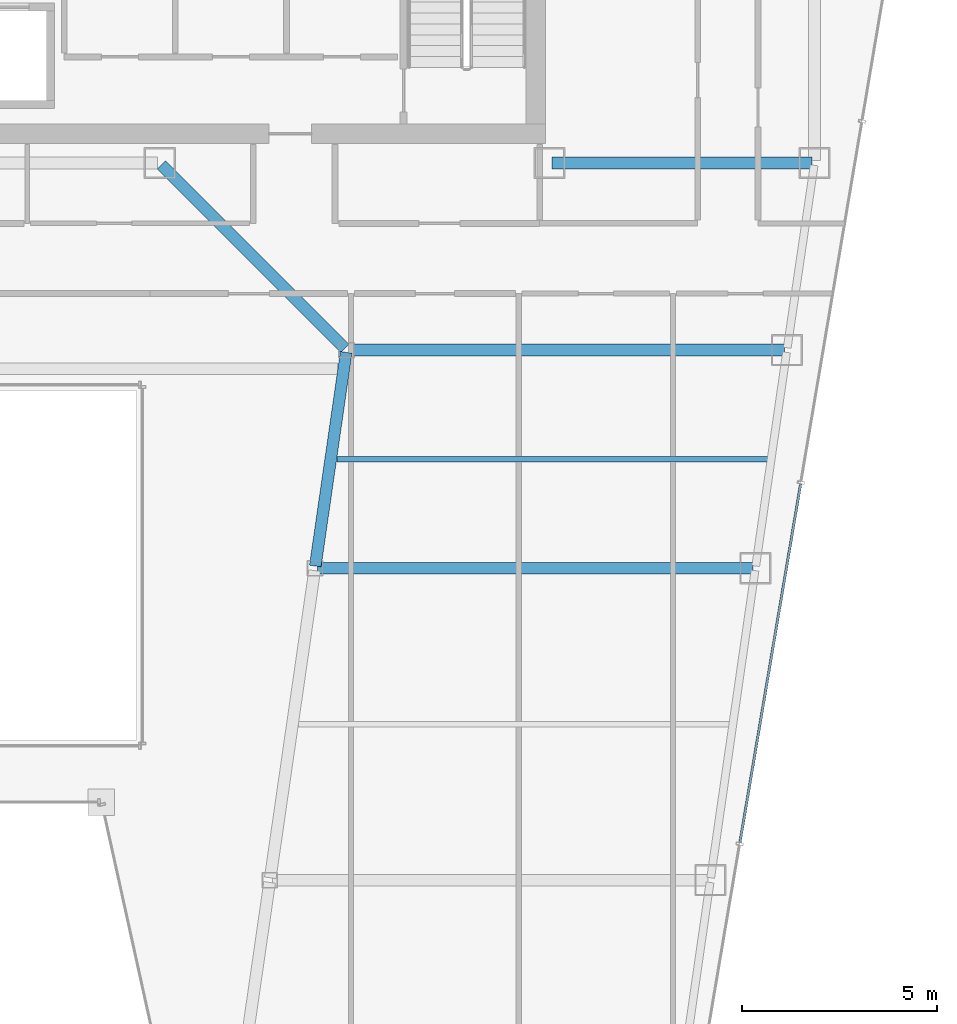
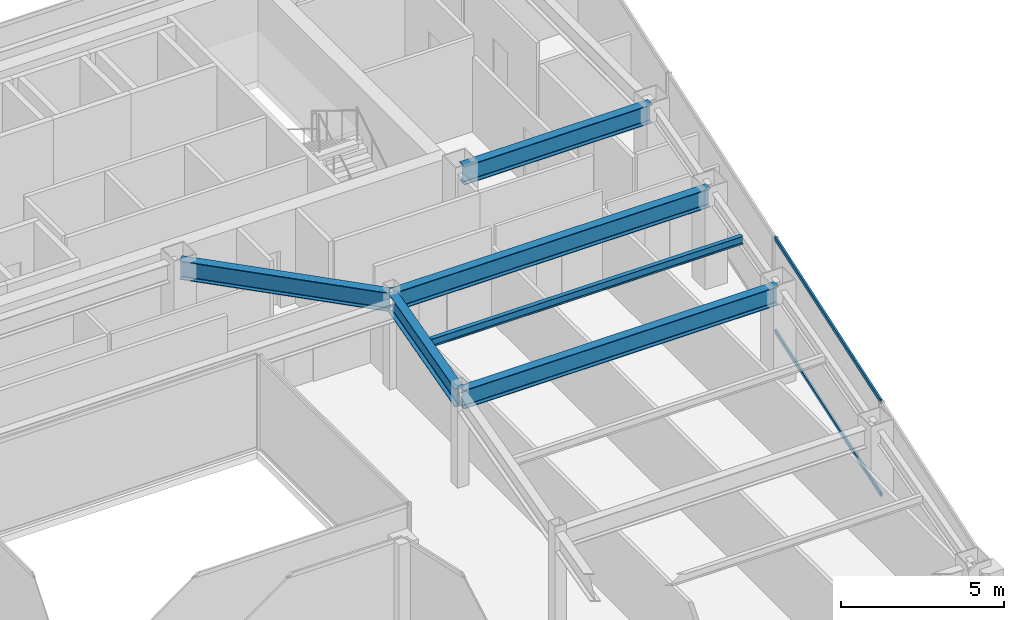
# One storey, part 21 of 36: 6 beams, 2 members, 1 element without a shape of its own.
"""IFC4 building model written with IfcOpenShell, lengths in metres."""

from ifc_helpers import new_model, si_unit, direction, frame, origin, origin_2d, place, context, subcontext, project, spatial, hollow_rectangle, i_section, extrude, material, material_profile, profile_set, type_object, element, aggregate, save


model = new_model("IFC4")

# Units and contexts
model_context = context("Model", 3, precision=1e-05, world=origin(), true_north=direction((0.0, 1.0)))
body_context = subcontext(model_context, "Body", "Model", "MODEL_VIEW")
ifc_project = project(units=[si_unit("LENGTHUNIT", "METRE"), si_unit("AREAUNIT", "SQUARE_METRE"), si_unit("VOLUMEUNIT", "CUBIC_METRE"), si_unit("PLANEANGLEUNIT", "RADIAN"), si_unit("MASSUNIT", "GRAM", prefix="KILO")], contexts=[model_context])

# Site, building, storey
site_placement = place(None, origin())
site = spatial("IfcSite", under=ifc_project, at=site_placement, CompositionType="ELEMENT")
building_placement = place(site_placement, origin())
building = spatial("IfcBuilding", under=site, at=building_placement, Name="Saevonmaru Cultural Tower", CompositionType="ELEMENT")
storey_placement = place(building_placement, frame((0.0, 0.0, 201.800048828125)))
storey = spatial("IfcBuildingStorey", under=building, at=storey_placement, Name="L46", CompositionType="ELEMENT", Elevation=201.800048828125)

# Beams
ifc_material_1 = material(Name="Steel SM355", Category="steel")
ifc_material_profile_1 = material_profile(ifc_material_1, i_section(OverallWidth=0.300048828125, OverallDepth=0.699951171875, WebThickness=0.012939453125, FlangeThickness=0.02392578125, FilletRadius=0.02587890625, at=origin_2d()), Name="H-700x300x13x24")
ifc_profile_set_1 = profile_set([ifc_material_profile_1], Name="Steel SM355")
beam_type_1 = type_object("IfcBeamType", Name="BM-G-H700", PredefinedType="BEAM", material=ifc_profile_set_1)
beam_1_placement = place(storey_placement, frame((46.4599609375, 42.39990234375, 3.199951171875), z_axis=(1.0, 0.0, 0.0), x_axis=(0.0, 1.0, 0.0)))
element("IfcBeam", 1, at=beam_1_placement, inside=storey, type_object=beam_type_1, Name="L46 Core South Girder 5", PredefinedType="BEAM", context=body_context, shape_type="SweptSolid", body=[
    extrude(i_section(OverallWidth=0.300048828125, OverallDepth=0.699951171875, WebThickness=0.012939453125, FlangeThickness=0.02392578125, FilletRadius=0.02587890625, at=origin_2d()), origin(), (0.0, 0.0, 1.0), 6.679931640625),
])
beam_2_placement = place(storey_placement, frame((40.3916015625, 32.059326171875, 3.199951171875), z_axis=(0.142964121327, 0.989727871697, 0.0), x_axis=(-0.989727871697, 0.142964121327, 0.0)))
element("IfcBeam", 2, at=beam_2_placement, inside=storey, type_object=beam_type_1, Name="L46 East Atrium Girder 3", PredefinedType="BEAM", context=body_context, shape_type="SweptSolid", body=[
    extrude(i_section(OverallWidth=0.300048828125, OverallDepth=0.699951171875, WebThickness=0.012939453125, FlangeThickness=0.02392578125, FilletRadius=0.02587890625, at=origin_2d()), origin(), (0.0, 0.0, 1.0), 5.5380859375),
])
beam_3_placement = place(storey_placement, frame((41.149658203125, 37.642578125, 3.199951171875), z_axis=(-0.706538566564, 0.707674539572, 0.0), x_axis=(-0.707674539572, -0.706538566564, 0.0)))
element("IfcBeam", 3, at=beam_3_placement, inside=storey, type_object=beam_type_1, Name="L46 East Atrium Girder 4", PredefinedType="BEAM", context=body_context, shape_type="SweptSolid", body=[
    extrude(i_section(OverallWidth=0.300048828125, OverallDepth=0.699951171875, WebThickness=0.012939453125, FlangeThickness=0.02392578125, FilletRadius=0.02587890625, at=origin_2d()), origin(), (0.0, 0.0, 1.0), 6.662353515625),
])
for number, where, z_axis, x_axis, name in (
    (4, (40.443115234375, 32.0, 3.199951171875), (1.0, 0.0, 0.0), (0.0, 1.0, 0.0), "L46 East Wing Transverse Girder 3"),
    (5, (41.251953125, 37.60009765625, 3.199951171875), (1.0, 0.0, 0.0), (0.0, 1.0, 0.0), "L46 East Wing Transverse Girder 4"),
):
    element("IfcBeam", number, at=place(storey_placement, frame(where, z_axis=z_axis, x_axis=x_axis)), inside=storey, type_object=beam_type_1, Name=name, PredefinedType="BEAM", context=body_context, shape_type="SweptSolid", body=[
        extrude(i_section(OverallWidth=0.300048828125, OverallDepth=0.699951171875, WebThickness=0.012939453125, FlangeThickness=0.02392578125, FilletRadius=0.02587890625, at=origin_2d()), origin(), (0.0, 0.0, 1.0), 11.179931640625),
    ])
ifc_material_profile_2 = material_profile(ifc_material_1, i_section(OverallWidth=0.14990234375, OverallDepth=0.300048828125, WebThickness=0.006591796875, FlangeThickness=0.009033203125, FilletRadius=0.012939453125, at=origin_2d()), Name="H-300x150x6.5x9")
ifc_profile_set_2 = profile_set([ifc_material_profile_2], Name="Steel SM355")
beam_type_2 = type_object("IfcBeamType", Name="BM-J-H300", PredefinedType="JOIST", material=ifc_profile_set_2)
beam_4_placement = place(storey_placement, frame((40.945556640625, 34.800048828125, 3.39990234375), z_axis=(1.0, 0.0, 0.0), x_axis=(0.0, 1.0, 0.0)))
element("IfcBeam", 6, at=beam_4_placement, inside=storey, type_object=beam_type_2, Name="L46 East Wing Floor Joist 3", PredefinedType="JOIST", context=body_context, shape_type="SweptSolid", body=[
    extrude(i_section(OverallWidth=0.14990234375, OverallDepth=0.300048828125, WebThickness=0.006591796875, FlangeThickness=0.009033203125, FilletRadius=0.012939453125, at=origin_2d()), origin(), (0.0, 0.0, 1.0), 11.08203125),
])

# Curtain wall, members
ifc_material_2 = material(Name="Satin Bronze Anodised Aluminium", Category="aluminium")
curtain_wall_type = type_object("IfcCurtainWallType", Name="CW-TYP-B", PredefinedType="NOTDEFINED", material=ifc_material_2)
curtain_wall_placement = place(storey_placement, origin())
curtain_wall = element("IfcCurtainWall", 7, at=curtain_wall_placement, inside=storey, type_object=curtain_wall_type, Name="L46 Unitised Curtain Wall E8", PredefinedType="NOTDEFINED")
ifc_material_profile_3 = material_profile(ifc_material_2, hollow_rectangle(XDim=0.06494140625, YDim=0.14990234375, WallThickness=0.00390625, at=origin_2d()), Name="ALU-TRAN-150x65x4")
ifc_profile_set_3 = profile_set([ifc_material_profile_3], Name="Satin Bronze Anodised Aluminium")
member_type = type_object("IfcMemberType", Name="TR-CW-150x65", PredefinedType="USERDEFINED", material=ifc_profile_set_3)
member_1_placement = place(storey_placement, frame((51.287109375, 24.961669921875, 0.032470703125), z_axis=(0.166921263871, 0.985970228591, 0.0), x_axis=(-0.985970228591, 0.166921263871, 0.0)))
member_1 = element("IfcMember", 8, at=member_1_placement, type_object=member_type, Name="CW-TW-L46-E8 transom 2.1", ObjectType="TRANSOM", PredefinedType="USERDEFINED", context=body_context, shape_type="SweptSolid", body=[
    extrude(hollow_rectangle(XDim=0.06494140625, YDim=0.14990234375, WallThickness=0.00390625, at=origin_2d()), origin(), (0.0, 0.0, 1.0), 9.33740234375),
])
member_2_placement = place(storey_placement, frame((51.287109375, 24.961669921875, 3.517333984375), z_axis=(0.166921263871, 0.985970228591, 0.0), x_axis=(-0.985970228591, 0.166921263871, 0.0)))
member_2 = element("IfcMember", 9, at=member_2_placement, type_object=member_type, Name="CW-TW-L46-E8 transom 2.2", ObjectType="TRANSOM", PredefinedType="USERDEFINED", context=body_context, shape_type="SweptSolid", body=[
    extrude(hollow_rectangle(XDim=0.06494140625, YDim=0.14990234375, WallThickness=0.00390625, at=origin_2d()), origin(), (0.0, 0.0, 1.0), 9.33740234375),
])
aggregate(curtain_wall, [member_1, member_2])

save(model, "model.ifc")
